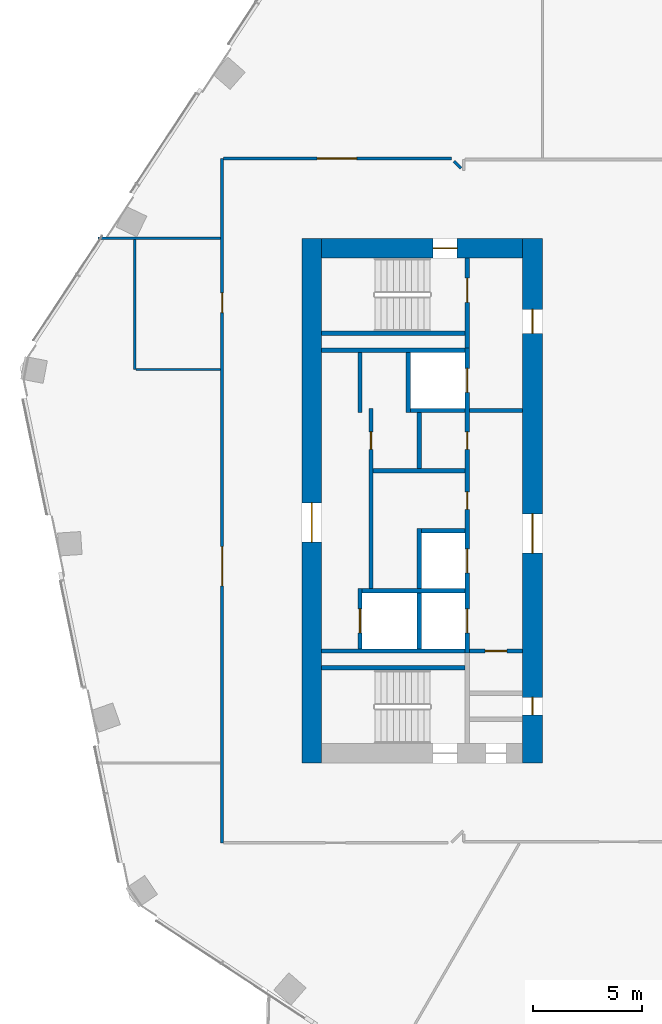
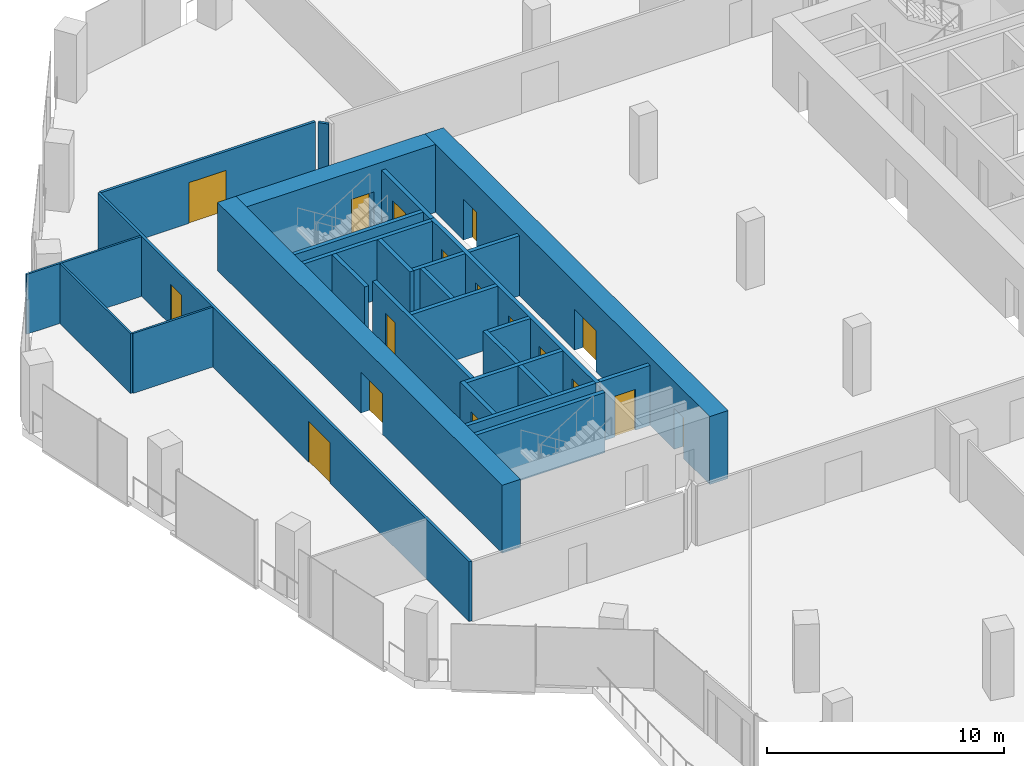
# One storey, part 18 of 26: 28 walls, 17 doors, 17 openings.
"""IFC4 building model written with IfcOpenShell, lengths in metres."""

import ifcopenshell
import ifcopenshell.guid

model = None  # the IFC model being written
_history = None  # IfcOwnerHistory: only IFC2X3 demands one
_inside = {}  # id of a spatial element -> (the spatial element, [elements in it])
_under = {}  # id of a project, library or spatial element -> (it, [spatial elements below it])
_declared = {}  # id of a project -> (the project, [libraries it declares])
_typed = {}  # id of a type object -> (the type object, [elements of that type])
_made_of = {}  # id of a material, layer set ... -> (it, [elements and type objects made of it])


def new_model(schema):
    """Start an empty IFC model of exactly this schema.

    Asked for "IFC4X3", IfcOpenShell would pick the latest addendum, in which some entities
    have other attributes; the version numbers below select the first issue.
    IFC2X3 requires an IfcOwnerHistory on every rooted entity: one is made here for all.
    """
    global model, _history
    if schema == "IFC4X3":
        model = ifcopenshell.file(schema_version=(4, 3, 0, 0))
    else:
        model = ifcopenshell.file(schema=schema)
    _inside.clear()
    _under.clear()
    _declared.clear()
    _typed.clear()
    _made_of.clear()
    _history = None
    if model.schema == "IFC2X3":
        org = make("IfcOrganization", Name="unknown")
        user = make(
            "IfcPersonAndOrganization",
            ThePerson=make("IfcPerson", FamilyName="unknown"),
            TheOrganization=org,
        )
        app = make(
            "IfcApplication",
            ApplicationDeveloper=org,
            Version="unknown",
            ApplicationFullName="unknown",
            ApplicationIdentifier="unknown",
        )
        _history = make(
            "IfcOwnerHistory",
            OwningUser=user,
            OwningApplication=app,
            ChangeAction="ADDED",
            CreationDate=0,
        )
    return model


def make(cls, **values):
    """One entity of the class cls with the attributes given. An attribute that is None is left unset."""
    return model.create_entity(
        cls, **{name: value for name, value in values.items() if value is not None}
    )


def rooted(cls, **values):
    """An entity with a GlobalId (a new one), such as an element, a storey or a relation."""
    return make(cls, GlobalId=ifcopenshell.guid.new(), OwnerHistory=_history, **values)


def si_unit(unit_type, name, prefix=None):
    """IfcSIUnit, for example si_unit("LENGTHUNIT", "METRE", prefix="MILLI")."""
    return make("IfcSIUnit", UnitType=unit_type, Prefix=prefix, Name=name)


def assignment(units):
    """IfcUnitAssignment: the units of a project."""
    return None if units is None else make("IfcUnitAssignment", Units=units)


def point(xyz):
    """IfcCartesianPoint."""
    return None if xyz is None else make("IfcCartesianPoint", Coordinates=xyz)


def direction(xyz):
    """IfcDirection."""
    return None if xyz is None else make("IfcDirection", DirectionRatios=xyz)


def frame(location, z_axis=None, x_axis=None):
    """IfcAxis2Placement3D, a coordinate frame: its origin and axes. An axis left out is left unset."""
    return make(
        "IfcAxis2Placement3D",
        Location=point(location),
        Axis=direction(z_axis),
        RefDirection=direction(x_axis),
    )


def frame_2d(location, x_axis=None):
    """IfcAxis2Placement2D, a coordinate frame in the plane: its origin and x axis."""
    return make(
        "IfcAxis2Placement2D", Location=point(location), RefDirection=direction(x_axis)
    )


def origin():
    """The frame at (0, 0, 0) with its axes left unset."""
    return frame((0.0, 0.0, 0.0))


def place(relative_to, where):
    """IfcLocalPlacement: puts the frame where relative to a parent placement (None: the world)."""
    return make(
        "IfcLocalPlacement", PlacementRelTo=relative_to, RelativePlacement=where
    )


def context(
    kind, dimensions, precision=None, world=None, true_north=None, identifier=None
):
    """IfcGeometricRepresentationContext, for example the 3D "Model" context."""
    return make(
        "IfcGeometricRepresentationContext",
        ContextIdentifier=identifier,
        ContextType=kind,
        CoordinateSpaceDimension=dimensions,
        Precision=precision,
        WorldCoordinateSystem=world,
        TrueNorth=true_north,
    )


def subcontext(parent, identifier, kind, view, scale=None):
    """IfcGeometricRepresentationSubContext, for example "Body" below "Model"."""
    return make(
        "IfcGeometricRepresentationSubContext",
        ContextIdentifier=identifier,
        ContextType=kind,
        ParentContext=parent,
        TargetScale=scale,
        TargetView=view,
    )


def project(units=None, contexts=None):
    """IfcProject with its units and contexts."""
    return rooted(
        "IfcProject",
        Name="project",
        RepresentationContexts=contexts,
        UnitsInContext=assignment(units),
    )


def spatial(cls, under=None, at=None, **own):
    """A site, building, storey or space (cls), placed at a placement, below another one or the project."""
    s = rooted(cls, ObjectPlacement=at, **own)
    if under is not None:
        _under.setdefault(under.id(), (under, []))[1].append(s)
    return s


def profile(cls, at=None, kind="AREA", **sizes):
    """A parametric profile (cls). Its sizes go by their IFC names, for example OverallWidth=200.0."""
    return make(cls, ProfileType=kind, Position=at, **sizes)


def rectangle(**sizes):
    """IfcRectangleProfileDef."""
    return profile("IfcRectangleProfileDef", **sizes)


def extrude(swept, where, along, depth):
    """IfcExtrudedAreaSolid: the profile swept, set in the frame where, extruded along a direction by depth."""
    return make(
        "IfcExtrudedAreaSolid",
        SweptArea=swept,
        Position=where,
        ExtrudedDirection=direction(along),
        Depth=depth,
    )


def shape(context_of_items, identifier, shape_type, items):
    """IfcShapeRepresentation: the items that make up one representation, for example the "Body"."""
    return make(
        "IfcShapeRepresentation",
        ContextOfItems=context_of_items,
        RepresentationIdentifier=identifier,
        RepresentationType=shape_type,
        Items=items,
    )


def material(Name=None, Category=None):
    """IfcMaterial."""
    return make("IfcMaterial", Name=Name, Category=Category)


def layer(
    of_material, thickness, ventilated=None, Name=None, Category=None, Priority=None
):
    """IfcMaterialLayer: one layer of a wall or slab, of a material (None: an air gap)."""
    return make(
        "IfcMaterialLayer",
        Material=of_material,
        LayerThickness=thickness,
        IsVentilated=ventilated,
        Name=Name,
        Category=Category,
        Priority=Priority,
    )


def layer_set(layers, Name=None):
    """IfcMaterialLayerSet."""
    return make("IfcMaterialLayerSet", MaterialLayers=layers, LayerSetName=Name)


def made_of(thing, what):
    """Note that an element or type object is made of a material, layer set ...; save() writes the relation."""
    if what is not None:
        _made_of.setdefault(what.id(), (what, []))[1].append(thing)
    return thing


def type_object(cls, material=None, **own):
    """A type object (cls), such as IfcWallType, which elements share."""
    return made_of(rooted(cls, **own), material)


def element(
    cls,
    number,
    at=None,
    inside=None,
    cuts=None,
    type_object=None,
    material=None,
    context=None,
    identifier="Body",
    shape_type=None,
    held_by="IfcProductDefinitionShape",
    body=None,
    shapes=None,
    **own,
):
    """One element of the class cls, such as IfcWall. Its Tag is "e" and its number.

    at: its placement. inside: the storey or other place that contains it. cuts: it is an
    opening in that element (IfcRelVoidsElement). A single representation is given by context,
    identifier, shape_type and body (its items); several are given by shapes. held_by: the class
    of the entity that holds the representations. save() writes the other relations.
    """
    e = rooted(cls, Tag="e%d" % number, ObjectPlacement=at, **own)
    if body is not None:
        shapes = [shape(context, identifier, shape_type, body)]
    if shapes is not None:
        e.Representation = make(held_by, Representations=shapes)
    if inside is not None:
        _inside.setdefault(inside.id(), (inside, []))[1].append(e)
    if cuts is not None:
        rooted(
            "IfcRelVoidsElement", RelatingBuildingElement=cuts, RelatedOpeningElement=e
        )
    if type_object is not None:
        _typed.setdefault(type_object.id(), (type_object, []))[1].append(e)
    return made_of(e, material)


def fill(opening, filler):
    """IfcRelFillsElement: the door or window that sits in an opening."""
    return rooted(
        "IfcRelFillsElement",
        RelatingOpeningElement=opening,
        RelatedBuildingElement=filler,
    )


def aggregate(whole, parts):
    """IfcRelAggregates: a whole, such as a stair, and the parts it consists of."""
    return rooted("IfcRelAggregates", RelatingObject=whole, RelatedObjects=parts)


def save(model, path):
    """Write the relations noted so far, then the file.

    IfcRelAggregates (storeys below a building ...), IfcRelContainedInSpatialStructure (elements
    in a storey), IfcRelDefinesByType, IfcRelAssociatesMaterial and IfcRelDeclares: one each for
    every whole, place, type object, material and project.
    """
    for whole, parts in _under.values():
        aggregate(whole, parts)
    for where, things in _inside.values():
        rooted(
            "IfcRelContainedInSpatialStructure",
            RelatedElements=things,
            RelatingStructure=where,
        )
    for kind, things in _typed.values():
        rooted("IfcRelDefinesByType", RelatedObjects=things, RelatingType=kind)
    for what, things in _made_of.values():
        rooted("IfcRelAssociatesMaterial", RelatedObjects=things, RelatingMaterial=what)
    for by, libraries in _declared.values():
        rooted("IfcRelDeclares", RelatingContext=by, RelatedDefinitions=libraries)
    model.write(path)


model = new_model("IFC4")

# Units and contexts
model_context = context("Model", 3, precision=1e-05, world=origin(), true_north=direction((0.0, 1.0)))
body_context = subcontext(model_context, "Body", "Model", "MODEL_VIEW")
ifc_project = project(units=[si_unit("LENGTHUNIT", "METRE"), si_unit("AREAUNIT", "SQUARE_METRE"), si_unit("VOLUMEUNIT", "CUBIC_METRE"), si_unit("PLANEANGLEUNIT", "RADIAN"), si_unit("MASSUNIT", "GRAM", prefix="KILO")], contexts=[model_context])

# Site, building, storey
site_placement = place(None, origin())
site = spatial("IfcSite", under=ifc_project, at=site_placement, CompositionType="ELEMENT")
building_placement = place(site_placement, origin())
building = spatial("IfcBuilding", under=site, at=building_placement, Name="Orlundy Tower", CompositionType="ELEMENT")
storey_placement = place(building_placement, frame((0.0, 0.0, 232.0)))
storey = spatial("IfcBuildingStorey", under=building, at=storey_placement, Name="L61", CompositionType="ELEMENT", Elevation=232.0)

# Wall, opening, door
ifc_material_1 = material(Name="Concrete C60/75", Category="concrete")
ifc_layer_1 = layer(ifc_material_1, 0.89990234375)
ifc_layer_set_1 = layer_set([ifc_layer_1], Name="CORE WALL 900 C60/75")
wall_type_1 = type_object("IfcWallType", Name="CORE WALL 900 C60/75", PredefinedType="SHEAR", material=ifc_layer_set_1)
wall_1_placement = place(storey_placement, frame((-18.10009765625, 11.550048828125, 0.0), z_axis=(0.0, 0.0, 1.0), x_axis=(1.0, 0.0, 0.0)))
wall_1 = element("IfcWall", 1, at=wall_1_placement, inside=storey, type_object=wall_type_1, Name="Core wall W-N L61", PredefinedType="SHEAR", context=body_context, shape_type="SweptSolid", body=[
    extrude(rectangle(XDim=9.2001953125, YDim=0.89990234375, at=frame_2d((4.60009765625, 0.0))), origin(), (0.0, 0.0, 1.0), 3.5),
])
opening_1_placement = place(wall_1_placement, frame((5.10009765625, 0.0, 0.0)))
opening_1 = element("IfcOpeningElement", 2, at=opening_1_placement, cuts=wall_1, Name="Opening 47011", PredefinedType="OPENING", context=body_context, shape_type="SweptSolid", body=[
    extrude(rectangle(XDim=1.10009765625, YDim=2.10009765625, at=frame_2d((0.550048828125, 1.050048828125))), frame((0.0, 0.4599609375, 0.0), z_axis=(0.0, -1.0, 0.0), x_axis=(1.0, 0.0, 0.0)), (0.0, 0.0, 1.0), 0.919921875),
])
ifc_material_2 = material(Name="Steel door set", Category="steel")
door_type_1 = type_object("IfcDoorType", Name="Stair Door 1100x2100", OperationType="SINGLE_SWING_LEFT", PredefinedType="DOOR", material=ifc_material_2)
door_1_placement = place(opening_1_placement, origin())
door_1 = element("IfcDoor", 3, at=door_1_placement, inside=storey, type_object=door_type_1, Name="Stair door 47011", OperationType="SINGLE_SWING_RIGHT", OverallHeight=2.10009765625, OverallWidth=1.10009765625, PredefinedType="DOOR", context=body_context, shape_type="SweptSolid", body=[
    extrude(rectangle(XDim=1.10009765625, YDim=2.10009765625, at=frame_2d((0.550048828125, 1.050048828125))), frame((0.0, 0.02490234375, 0.0), z_axis=(0.0, -1.0, 0.0), x_axis=(1.0, 0.0, 0.0)), (0.0, 0.0, 1.0), 0.050048828125),
])
fill(opening_1, door_1)

wall_2_placement = place(storey_placement, frame((-18.550048828125, -12.0, 0.0), z_axis=(0.0, 0.0, 1.0), x_axis=(0.0, 1.0, 0.0)))
wall_2 = element("IfcWall", 4, at=wall_2_placement, inside=storey, type_object=wall_type_1, Name="Core wall W-W L61", PredefinedType="SHEAR", context=body_context, shape_type="SweptSolid", body=[
    extrude(rectangle(XDim=24.0, YDim=0.89990234375, at=frame_2d((12.0, 0.0))), origin(), (0.0, 0.0, 1.0), 3.5),
])
opening_2_placement = place(wall_2_placement, frame((10.10009765625, 0.0, 0.0)))
opening_2 = element("IfcOpeningElement", 5, at=opening_2_placement, cuts=wall_2, Name="Opening 47009", PredefinedType="OPENING", context=body_context, shape_type="SweptSolid", body=[
    extrude(rectangle(XDim=1.800048828125, YDim=2.10009765625, at=frame_2d((0.89990234375, 1.050048828125))), frame((0.0, 0.4599609375, 0.0), z_axis=(0.0, -1.0, 0.0), x_axis=(1.0, 0.0, 0.0)), (0.0, 0.0, 1.0), 0.919921875),
])
ifc_material_3 = material(Name="Timber door set", Category="wood")
door_type_2 = type_object("IfcDoorType", Name="Lobby Door 1800x2100", OperationType="DOUBLE_DOOR_DOUBLE_SWING", PredefinedType="DOOR", material=ifc_material_3)
door_2_placement = place(opening_2_placement, origin())
door_2 = element("IfcDoor", 6, at=door_2_placement, inside=storey, type_object=door_type_2, Name="Lift lobby door 47009", OperationType="SINGLE_SWING_LEFT", OverallHeight=2.10009765625, OverallWidth=1.800048828125, PredefinedType="DOOR", context=body_context, shape_type="SweptSolid", body=[
    extrude(rectangle(XDim=1.800048828125, YDim=2.10009765625, at=frame_2d((0.89990234375, 1.050048828125))), frame((0.0, 0.02490234375, 0.0), z_axis=(0.0, -1.0, 0.0), x_axis=(1.0, 0.0, 0.0)), (0.0, 0.0, 1.0), 0.050048828125),
])
fill(opening_2, door_2)

# Wall, openings, doors
wall_3_placement = place(storey_placement, frame((-8.449951171875, -12.0, 0.0), z_axis=(0.0, 0.0, 1.0), x_axis=(0.0, 1.0, 0.0)))
wall_3 = element("IfcWall", 7, at=wall_3_placement, inside=storey, type_object=wall_type_1, Name="Core wall W-E L61", PredefinedType="SHEAR", context=body_context, shape_type="SweptSolid", body=[
    extrude(rectangle(XDim=24.0, YDim=0.89990234375, at=frame_2d((12.0, 0.0))), origin(), (0.0, 0.0, 1.0), 3.5),
])
opening_3_placement = place(wall_3_placement, frame((9.60009765625, 0.0, 0.0)))
opening_3 = element("IfcOpeningElement", 8, at=opening_3_placement, cuts=wall_3, Name="Opening 47008", PredefinedType="OPENING", context=body_context, shape_type="SweptSolid", body=[
    extrude(rectangle(XDim=1.800048828125, YDim=2.10009765625, at=frame_2d((0.89990234375, 1.050048828125))), frame((0.0, 0.4599609375, 0.0), z_axis=(0.0, -1.0, 0.0), x_axis=(1.0, 0.0, 0.0)), (0.0, 0.0, 1.0), 0.919921875),
])
opening_4_placement = place(wall_3_placement, frame((19.64990234375, 0.0, 0.0)))
opening_4 = element("IfcOpeningElement", 9, at=opening_4_placement, cuts=wall_3, Name="Opening 47010", PredefinedType="OPENING", context=body_context, shape_type="SweptSolid", body=[
    extrude(rectangle(XDim=1.10009765625, YDim=2.10009765625, at=frame_2d((0.550048828125, 1.050048828125))), frame((0.0, 0.4599609375, 0.0), z_axis=(0.0, -1.0, 0.0), x_axis=(1.0, 0.0, 0.0)), (0.0, 0.0, 1.0), 0.919921875),
])
opening_5_placement = place(wall_3_placement, frame((2.199951171875, 0.0, 0.0)))
opening_5 = element("IfcOpeningElement", 10, at=opening_5_placement, cuts=wall_3, Name="Opening 47015", PredefinedType="OPENING", context=body_context, shape_type="SweptSolid", body=[
    extrude(rectangle(XDim=0.800048828125, YDim=2.10009765625, at=frame_2d((0.39990234375, 1.050048828125))), frame((0.0, 0.4599609375, 0.0), z_axis=(0.0, -1.0, 0.0), x_axis=(1.0, 0.0, 0.0)), (0.0, 0.0, 1.0), 0.919921875),
])
ifc_material_4 = material(Name="Steel door set", Category="steel")
door_type_3 = type_object("IfcDoorType", Name="Fire-fighting Lobby Door 1100x2100", OperationType="SINGLE_SWING_LEFT", PredefinedType="DOOR", material=ifc_material_4)
door_3_placement = place(opening_4_placement, origin())
door_3 = element("IfcDoor", 11, at=door_3_placement, inside=storey, type_object=door_type_3, Name="Fire-fighting lobby door 47010", OperationType="SINGLE_SWING_RIGHT", OverallHeight=2.10009765625, OverallWidth=1.10009765625, PredefinedType="DOOR", context=body_context, shape_type="SweptSolid", body=[
    extrude(rectangle(XDim=1.10009765625, YDim=2.10009765625, at=frame_2d((0.550048828125, 1.050048828125))), frame((0.0, 0.02490234375, 0.0), z_axis=(0.0, -1.0, 0.0), x_axis=(1.0, 0.0, 0.0)), (0.0, 0.0, 1.0), 0.050048828125),
])
fill(opening_4, door_3)
door_4_placement = place(opening_3_placement, origin())
door_4 = element("IfcDoor", 12, at=door_4_placement, inside=storey, type_object=door_type_2, Name="Lift lobby door 47008", OperationType="SINGLE_SWING_LEFT", OverallHeight=2.10009765625, OverallWidth=1.800048828125, PredefinedType="DOOR", context=body_context, shape_type="SweptSolid", body=[
    extrude(rectangle(XDim=1.800048828125, YDim=2.10009765625, at=frame_2d((0.89990234375, 1.050048828125))), frame((0.0, 0.02490234375, 0.0), z_axis=(0.0, -1.0, 0.0), x_axis=(1.0, 0.0, 0.0)), (0.0, 0.0, 1.0), 0.050048828125),
])
fill(opening_3, door_4)
ifc_material_5 = material(Name="Timber door set", Category="wood")
door_type_4 = type_object("IfcDoorType", Name="Riser Door 800x2100", OperationType="SINGLE_SWING_LEFT", PredefinedType="DOOR", material=ifc_material_5)
door_5_placement = place(opening_5_placement, origin())
door_5 = element("IfcDoor", 13, at=door_5_placement, inside=storey, type_object=door_type_4, Name="Door 47015", OperationType="SINGLE_SWING_LEFT", OverallHeight=2.10009765625, OverallWidth=0.800048828125, PredefinedType="DOOR", context=body_context, shape_type="SweptSolid", body=[
    extrude(rectangle(XDim=0.800048828125, YDim=2.10009765625, at=frame_2d((0.39990234375, 1.050048828125))), frame((0.0, 0.02490234375, 0.0), z_axis=(0.0, -1.0, 0.0), x_axis=(1.0, 0.0, 0.0)), (0.0, 0.0, 1.0), 0.050048828125),
])
fill(opening_5, door_5)

# Walls
ifc_material_6 = material(Name="Gypsum board partition")
ifc_layer_2 = layer(ifc_material_6, 0.10009765625)
ifc_layer_set_2 = layer_set([ifc_layer_2], Name="Floor partition 100")
wall_type_2 = type_object("IfcWallType", Name="Floor partition 100", PredefinedType="PARTITIONING", material=ifc_layer_set_2)
wall_4_placement = place(storey_placement, frame((-26.597900390625, 6.0009765625, 0.0), z_axis=(0.0, 0.0, 1.0), x_axis=(1.0, 0.0, 0.0)))
element("IfcWall", 14, at=wall_4_placement, inside=storey, type_object=wall_type_2, Name="wall-int-L61-011", PredefinedType="PARTITIONING", context=body_context, shape_type="SweptSolid", body=[
    extrude(rectangle(XDim=3.885986328125, YDim=0.10009765625, at=frame_2d((1.94287109375, 0.0))), origin(), (0.0, 0.0, 1.0), 3.080078125),
])
wall_5_placement = place(storey_placement, frame((-28.31396484375, 12.0, 0.0), z_axis=(0.0, 0.0, 1.0), x_axis=(1.0, 0.0, 0.0)))
element("IfcWall", 15, at=wall_5_placement, inside=storey, type_object=wall_type_2, Name="wall-int-L61-012", PredefinedType="PARTITIONING", context=body_context, shape_type="SweptSolid", body=[
    extrude(rectangle(XDim=5.60205078125, YDim=0.10009765625, at=frame_2d((2.801025390625, 0.0))), origin(), (0.0, 0.0, 1.0), 3.080078125),
])
wall_6_placement = place(storey_placement, frame((-26.64794921875, 6.0009765625, 0.0), z_axis=(0.0, 0.0, 1.0), x_axis=(0.0, 1.0, 0.0)))
element("IfcWall", 16, at=wall_6_placement, inside=storey, type_object=wall_type_2, Name="wall-int-L61-030", PredefinedType="PARTITIONING", context=body_context, shape_type="SweptSolid", body=[
    extrude(rectangle(XDim=5.948974609375, YDim=0.10009765625, at=frame_2d((2.974609375, 0.0))), origin(), (0.0, 0.0, 1.0), 3.080078125),
])
ifc_material_7 = material(Name="Gypsum board partition, double layer")
ifc_layer_3 = layer(ifc_material_7, 0.125)
ifc_layer_set_3 = layer_set([ifc_layer_3], Name="Floor partition 125")
wall_type_3 = type_object("IfcWallType", Name="Floor partition 125", PredefinedType="PARTITIONING", material=ifc_layer_set_3)
wall_7_placement = place(storey_placement, frame((-12.0458984375, 15.52294921875, 0.0), z_axis=(0.0, 0.0, 1.0), x_axis=(0.707106781187, -0.707106781187, 0.0)))
element("IfcWall", 17, at=wall_7_placement, inside=storey, type_object=wall_type_3, Name="wall-int-L61-004", PredefinedType="PARTITIONING", context=body_context, shape_type="SweptSolid", body=[
    extrude(rectangle(XDim=0.4482421875, YDim=0.125, at=frame_2d((0.22412109375, 0.0))), origin(), (0.0, 0.0, 1.0), 3.080078125),
])

# Wall, opening, door
wall_8_placement = place(storey_placement, frame((-22.5869140625, 15.65087890625, 0.0), z_axis=(0.0, 0.0, 1.0), x_axis=(1.0, 0.0, 0.0)))
wall_8 = element("IfcWall", 18, at=wall_8_placement, inside=storey, type_object=wall_type_3, Name="wall-int-L61-015", PredefinedType="PARTITIONING", context=body_context, shape_type="SweptSolid", body=[
    extrude(rectangle(XDim=10.426025390625, YDim=0.125, at=frame_2d((5.212890625, 0.0))), origin(), (0.0, 0.0, 1.0), 3.080078125),
])
opening_6_placement = place(wall_8_placement, frame((4.28759765625, 0.0, 0.0)))
opening_6 = element("IfcOpeningElement", 19, at=opening_6_placement, cuts=wall_8, Name="Opening 47110", PredefinedType="OPENING", context=body_context, shape_type="SweptSolid", body=[
    extrude(rectangle(XDim=1.800048828125, YDim=2.10009765625, at=frame_2d((0.89990234375, 1.050048828125))), frame((0.0, 0.072509765625, 0.0), z_axis=(0.0, -1.0, 0.0), x_axis=(1.0, 0.0, 0.0)), (0.0, 0.0, 1.0), 0.14501953125),
])
ifc_material_8 = material(Name="Timber door leaf", Category="wood")
door_type_5 = type_object("IfcDoorType", Name="Floor door double 1800 FD30S", OperationType="NOTDEFINED", PredefinedType="DOOR", material=ifc_material_8)
door_6_placement = place(opening_6_placement, origin())
door_6 = element("IfcDoor", 20, at=door_6_placement, inside=storey, type_object=door_type_5, Name="Door 47110", OperationType="DOUBLE_DOOR_SINGLE_SWING", OverallHeight=2.10009765625, OverallWidth=1.800048828125, PredefinedType="DOOR", context=body_context, shape_type="SweptSolid", body=[
    extrude(rectangle(XDim=1.800048828125, YDim=2.10009765625, at=frame_2d((0.89990234375, 1.050048828125))), frame((0.0, 0.02490234375, 0.0), z_axis=(0.0, -1.0, 0.0), x_axis=(1.0, 0.0, 0.0)), (0.0, 0.0, 1.0), 0.050048828125),
])
fill(opening_6, door_6)

# Wall, openings, doors
wall_9_placement = place(storey_placement, frame((-22.64990234375, -15.65087890625, 0.0), z_axis=(0.0, 0.0, 1.0), x_axis=(0.0, 1.0, 0.0)))
wall_9 = element("IfcWall", 21, at=wall_9_placement, inside=storey, type_object=wall_type_3, Name="wall-int-L61-029", PredefinedType="PARTITIONING", context=body_context, shape_type="SweptSolid", body=[
    extrude(rectangle(XDim=31.3017578125, YDim=0.125, at=frame_2d((15.65087890625, 0.0))), origin(), (0.0, 0.0, 1.0), 3.080078125),
])
opening_7_placement = place(wall_9_placement, frame((11.7509765625, 0.0, 0.0)))
opening_7 = element("IfcOpeningElement", 22, at=opening_7_placement, cuts=wall_9, Name="Opening 47111", PredefinedType="OPENING", context=body_context, shape_type="SweptSolid", body=[
    extrude(rectangle(XDim=1.800048828125, YDim=2.10009765625, at=frame_2d((0.89990234375, 1.050048828125))), frame((0.0, 0.072509765625, 0.0), z_axis=(0.0, -1.0, 0.0), x_axis=(1.0, 0.0, 0.0)), (0.0, 0.0, 1.0), 0.14501953125),
])
opening_8_placement = place(wall_9_placement, frame((24.251953125, 0.0, 0.0)))
opening_8 = element("IfcOpeningElement", 23, at=opening_8_placement, cuts=wall_9, Name="Opening 47112", PredefinedType="OPENING", context=body_context, shape_type="SweptSolid", body=[
    extrude(rectangle(XDim=0.89990234375, YDim=2.10009765625, at=frame_2d((0.449951171875, 1.050048828125))), frame((0.0, 0.072509765625, 0.0), z_axis=(0.0, -1.0, 0.0), x_axis=(1.0, 0.0, 0.0)), (0.0, 0.0, 1.0), 0.14501953125),
])
door_7_placement = place(opening_7_placement, origin())
door_7 = element("IfcDoor", 24, at=door_7_placement, inside=storey, type_object=door_type_5, Name="Door 47111", OperationType="DOUBLE_DOOR_SINGLE_SWING", OverallHeight=2.10009765625, OverallWidth=1.800048828125, PredefinedType="DOOR", context=body_context, shape_type="SweptSolid", body=[
    extrude(rectangle(XDim=1.800048828125, YDim=2.10009765625, at=frame_2d((0.89990234375, 1.050048828125))), frame((0.0, 0.02490234375, 0.0), z_axis=(0.0, -1.0, 0.0), x_axis=(1.0, 0.0, 0.0)), (0.0, 0.0, 1.0), 0.050048828125),
])
fill(opening_7, door_7)
ifc_material_9 = material(Name="Timber door leaf", Category="wood")
door_type_6 = type_object("IfcDoorType", Name="Floor door single 900 FD30S", OperationType="NOTDEFINED", PredefinedType="DOOR", material=ifc_material_9)
door_8_placement = place(opening_8_placement, origin())
door_8 = element("IfcDoor", 25, at=door_8_placement, inside=storey, type_object=door_type_6, Name="Door 47112", OperationType="SINGLE_SWING_RIGHT", OverallHeight=2.10009765625, OverallWidth=0.89990234375, PredefinedType="DOOR", context=body_context, shape_type="SweptSolid", body=[
    extrude(rectangle(XDim=0.89990234375, YDim=2.10009765625, at=frame_2d((0.449951171875, 1.050048828125))), frame((0.0, 0.02490234375, 0.0), z_axis=(0.0, -1.0, 0.0), x_axis=(1.0, 0.0, 0.0)), (0.0, 0.0, 1.0), 0.050048828125),
])
fill(opening_8, door_8)

# Wall, opening, door
ifc_material_10 = material(Name="Concrete C40/50", Category="concrete")
ifc_layer_4 = layer(ifc_material_10, 0.199951171875)
ifc_layer_set_4 = layer_set([ifc_layer_4], Name="Load-bearing Shaft Wall 200")
wall_type_4 = type_object("IfcWallType", Name="Load-bearing Shaft Wall 200", PredefinedType="SOLIDWALL", material=ifc_layer_set_4)
wall_10_placement = place(storey_placement, frame((-11.43994140625, 6.97509765625, 0.0), z_axis=(0.0, 0.0, 1.0), x_axis=(0.0, 1.0, 0.0)))
wall_10 = element("IfcWall", 26, at=wall_10_placement, inside=storey, type_object=wall_type_4, Name="Shaft wall W47-stair-end-n", PredefinedType="SOLIDWALL", context=body_context, shape_type="SweptSolid", body=[
    extrude(rectangle(XDim=4.125, YDim=0.199951171875, at=frame_2d((2.0625, 0.0))), origin(), (0.0, 0.0, 1.0), 3.090087890625),
])
opening_9_placement = place(wall_10_placement, frame((2.10009765625, 0.0, 0.0)))
opening_9 = element("IfcOpeningElement", 27, at=opening_9_placement, cuts=wall_10, Name="Opening 47013", PredefinedType="OPENING", context=body_context, shape_type="SweptSolid", body=[
    extrude(rectangle(XDim=1.10009765625, YDim=2.10009765625, at=frame_2d((0.550048828125, 1.050048828125))), frame((0.0, 0.110107421875, 0.0), z_axis=(0.0, -1.0, 0.0), x_axis=(1.0, 0.0, 0.0)), (0.0, 0.0, 1.0), 0.22021484375),
])
door_9_placement = place(opening_9_placement, origin())
door_9 = element("IfcDoor", 28, at=door_9_placement, inside=storey, type_object=door_type_3, Name="Fire-fighting lobby to stair door 47013", OperationType="SINGLE_SWING_RIGHT", OverallHeight=2.10009765625, OverallWidth=1.10009765625, PredefinedType="DOOR", context=body_context, shape_type="SweptSolid", body=[
    extrude(rectangle(XDim=1.10009765625, YDim=2.10009765625, at=frame_2d((0.550048828125, 1.050048828125))), frame((0.0, 0.02490234375, 0.0), z_axis=(0.0, -1.0, 0.0), x_axis=(1.0, 0.0, 0.0)), (0.0, 0.0, 1.0), 0.050048828125),
])
fill(opening_9, door_9)

# Walls
for number, where, z_axis, x_axis, name in (
    (29, (-11.5400390625, 7.64990234375, 0.0), (0.0, 0.0, 1.0), (-1.0, 0.0, 0.0), "Shaft wall W47-stair-side-n"),
    (30, (-11.5400390625, -7.64990234375, 0.0), (0.0, 0.0, 1.0), (-1.0, 0.0, 0.0), "Shaft wall W47-stair-side-s"),
):
    element("IfcWall", number, at=place(storey_placement, frame(where, z_axis=z_axis, x_axis=x_axis)), inside=storey, type_object=wall_type_4, Name=name, PredefinedType="SOLIDWALL", context=body_context, shape_type="SweptSolid", body=[
        extrude(rectangle(XDim=6.56005859375, YDim=0.199951171875, at=frame_2d((3.280029296875, 0.0))), origin(), (0.0, 0.0, 1.0), 3.090087890625),
    ])
ifc_material_11 = material(Name="Gypsum board partition on steel studs", Category="steel")
ifc_layer_5 = layer(ifc_material_11, 0.199951171875)
ifc_layer_set_5 = layer_set([ifc_layer_5], Name="Partition 200")
wall_type_5 = type_object("IfcWallType", Name="Partition 200", PredefinedType="PARTITIONING", material=ifc_layer_set_5)
wall_11_placement = place(storey_placement, frame((-8.89990234375, 4.125, 0.0), z_axis=(0.0, 0.0, 1.0), x_axis=(-1.0, 0.0, 0.0)))
element("IfcWall", 31, at=wall_11_placement, inside=storey, type_object=wall_type_5, Name="Partition wall W47-lobby-n", PredefinedType="PARTITIONING", context=body_context, shape_type="SweptSolid", body=[
    extrude(rectangle(XDim=2.440185546875, YDim=0.199951171875, at=frame_2d((1.22021484375, 0.0))), origin(), (0.0, 0.0, 1.0), 3.090087890625),
])

# Wall, opening, door
wall_12_placement = place(storey_placement, frame((-8.89990234375, -6.875, 0.0), z_axis=(0.0, 0.0, 1.0), x_axis=(-1.0, 0.0, 0.0)))
wall_12 = element("IfcWall", 32, at=wall_12_placement, inside=storey, type_object=wall_type_5, Name="Partition wall W47-end-s", PredefinedType="PARTITIONING", context=body_context, shape_type="SweptSolid", body=[
    extrude(rectangle(XDim=2.440185546875, YDim=0.199951171875, at=frame_2d((1.22021484375, 0.0))), origin(), (0.0, 0.0, 1.0), 3.090087890625),
])
opening_10_placement = place(wall_12_placement, frame((0.719970703125, 0.0, 0.0)))
opening_10 = element("IfcOpeningElement", 33, at=opening_10_placement, cuts=wall_12, Name="Opening 47016", PredefinedType="OPENING", context=body_context, shape_type="SweptSolid", body=[
    extrude(rectangle(XDim=1.0, YDim=2.10009765625, at=frame_2d((0.5, 1.050048828125))), frame((0.0, 0.110107421875, 0.0), z_axis=(0.0, -1.0, 0.0), x_axis=(1.0, 0.0, 0.0)), (0.0, 0.0, 1.0), 0.22021484375),
])
ifc_material_12 = material(Name="Timber door set", Category="wood")
door_type_7 = type_object("IfcDoorType", Name="Accessible Door 1000x2100", OperationType="SINGLE_SWING_LEFT", PredefinedType="DOOR", material=ifc_material_12)
door_10_placement = place(opening_10_placement, origin())
door_10 = element("IfcDoor", 34, at=door_10_placement, inside=storey, type_object=door_type_7, Name="Accessible WC door 47016", OperationType="SINGLE_SWING_RIGHT", OverallHeight=2.10009765625, OverallWidth=1.0, PredefinedType="DOOR", context=body_context, shape_type="SweptSolid", body=[
    extrude(rectangle(XDim=1.0, YDim=2.10009765625, at=frame_2d((0.5, 1.050048828125))), frame((0.0, 0.02490234375, 0.0), z_axis=(0.0, -1.0, 0.0), x_axis=(1.0, 0.0, 0.0)), (0.0, 0.0, 1.0), 0.050048828125),
])
fill(opening_10, door_10)

# Walls
ifc_material_13 = material(Name="Fire-rated blockwork shaft wall", Category="masonry")
ifc_layer_6 = layer(ifc_material_13, 0.199951171875)
ifc_layer_set_6 = layer_set([ifc_layer_6], Name="Shaft Wall 200")
wall_type_6 = type_object("IfcWallType", Name="Shaft Wall 200", PredefinedType="SOLIDWALL", material=ifc_layer_set_6)
for number, where, z_axis, x_axis, name in (
    (35, (-11.5400390625, 6.875, 0.0), (0.0, 0.0, 1.0), (-1.0, 0.0, 0.0), "Shaft wall W47-zone-n"),
    (36, (-11.5400390625, -6.875, 0.0), (0.0, 0.0, 1.0), (-1.0, 0.0, 0.0), "Shaft wall W47-zone-s"),
):
    element("IfcWall", number, at=place(storey_placement, frame(where, z_axis=z_axis, x_axis=x_axis)), inside=storey, type_object=wall_type_6, Name=name, PredefinedType="SOLIDWALL", context=body_context, shape_type="SweptSolid", body=[
        extrude(rectangle(XDim=6.56005859375, YDim=0.199951171875, at=frame_2d((3.280029296875, 0.0))), origin(), (0.0, 0.0, 1.0), 3.090087890625),
    ])
wall_13_placement = place(storey_placement, frame((-11.5400390625, -4.125, 0.0), z_axis=(0.0, 0.0, 1.0), x_axis=(-1.0, 0.0, 0.0)))
element("IfcWall", 37, at=wall_13_placement, inside=storey, type_object=wall_type_6, Name="Shaft wall W47-cross-4.125", PredefinedType="SOLIDWALL", context=body_context, shape_type="SweptSolid", body=[
    extrude(rectangle(XDim=4.699951171875, YDim=0.199951171875, at=frame_2d((2.35009765625, 0.0))), origin(), (0.0, 0.0, 1.0), 3.090087890625),
])
wall_14_placement = place(storey_placement, frame((-11.5400390625, -1.375, 0.0), z_axis=(0.0, 0.0, 1.0), x_axis=(-1.0, 0.0, 0.0)))
element("IfcWall", 38, at=wall_14_placement, inside=storey, type_object=wall_type_6, Name="Shaft wall W47-cross-1.375", PredefinedType="SOLIDWALL", context=body_context, shape_type="SweptSolid", body=[
    extrude(rectangle(XDim=2.0, YDim=0.199951171875, at=frame_2d((1.0, 0.0))), origin(), (0.0, 0.0, 1.0), 3.090087890625),
])
wall_15_placement = place(storey_placement, frame((-11.5400390625, 1.375, 0.0), z_axis=(0.0, 0.0, 1.0), x_axis=(-1.0, 0.0, 0.0)))
element("IfcWall", 39, at=wall_15_placement, inside=storey, type_object=wall_type_6, Name="Shaft wall W47-cross+1.375", PredefinedType="SOLIDWALL", context=body_context, shape_type="SweptSolid", body=[
    extrude(rectangle(XDim=4.199951171875, YDim=0.199951171875, at=frame_2d((2.10009765625, 0.0))), origin(), (0.0, 0.0, 1.0), 3.090087890625),
])
wall_16_placement = place(storey_placement, frame((-11.5400390625, 4.125, 0.0), z_axis=(0.0, 0.0, 1.0), x_axis=(-1.0, 0.0, 0.0)))
element("IfcWall", 40, at=wall_16_placement, inside=storey, type_object=wall_type_6, Name="Shaft wall W47-cross+4.125", PredefinedType="SOLIDWALL", context=body_context, shape_type="SweptSolid", body=[
    extrude(rectangle(XDim=2.5, YDim=0.199951171875, at=frame_2d((1.25, 0.0))), origin(), (0.0, 0.0, 1.0), 3.090087890625),
])

# Wall, openings, doors
wall_17_placement = place(storey_placement, frame((-11.43994140625, -6.97509765625, 0.0), z_axis=(0.0, 0.0, 1.0), x_axis=(0.0, 1.0, 0.0)))
wall_17 = element("IfcWall", 41, at=wall_17_placement, inside=storey, type_object=wall_type_6, Name="Shaft wall W47-front-h", PredefinedType="SOLIDWALL", context=body_context, shape_type="SweptSolid", body=[
    extrude(rectangle(XDim=13.9501953125, YDim=0.199951171875, at=frame_2d((6.97509765625, 0.0))), origin(), (0.0, 0.0, 1.0), 3.090087890625),
])
opening_11_placement = place(wall_17_placement, frame((0.925048828125, 0.0, 0.0)))
opening_11 = element("IfcOpeningElement", 42, at=opening_11_placement, cuts=wall_17, Name="Opening 47001", PredefinedType="OPENING", context=body_context, shape_type="SweptSolid", body=[
    extrude(rectangle(XDim=1.10009765625, YDim=2.10009765625, at=frame_2d((0.550048828125, 1.050048828125))), frame((0.0, 0.110107421875, 0.0), z_axis=(0.0, -1.0, 0.0), x_axis=(1.0, 0.0, 0.0)), (0.0, 0.0, 1.0), 0.22021484375),
])
opening_12_placement = place(wall_17_placement, frame((3.675048828125, 0.0, 0.0)))
opening_12 = element("IfcOpeningElement", 43, at=opening_12_placement, cuts=wall_17, Name="Opening 47003", PredefinedType="OPENING", context=body_context, shape_type="SweptSolid", body=[
    extrude(rectangle(XDim=1.10009765625, YDim=2.10009765625, at=frame_2d((0.550048828125, 1.050048828125))), frame((0.0, 0.110107421875, 0.0), z_axis=(0.0, -1.0, 0.0), x_axis=(1.0, 0.0, 0.0)), (0.0, 0.0, 1.0), 0.22021484375),
])
opening_13_placement = place(wall_17_placement, frame((11.925048828125, 0.0, 0.0)))
opening_13 = element("IfcOpeningElement", 44, at=opening_13_placement, cuts=wall_17, Name="Opening 47004", PredefinedType="OPENING", context=body_context, shape_type="SweptSolid", body=[
    extrude(rectangle(XDim=1.10009765625, YDim=2.10009765625, at=frame_2d((0.550048828125, 1.050048828125))), frame((0.0, 0.110107421875, 0.0), z_axis=(0.0, -1.0, 0.0), x_axis=(1.0, 0.0, 0.0)), (0.0, 0.0, 1.0), 0.22021484375),
])
opening_14_placement = place(wall_17_placement, frame((6.574951171875, 0.0, 0.0)))
opening_14 = element("IfcOpeningElement", 45, at=opening_14_placement, cuts=wall_17, Name="Opening 47005", PredefinedType="OPENING", context=body_context, shape_type="SweptSolid", body=[
    extrude(rectangle(XDim=0.800048828125, YDim=2.10009765625, at=frame_2d((0.39990234375, 1.050048828125))), frame((0.0, 0.110107421875, 0.0), z_axis=(0.0, -1.0, 0.0), x_axis=(1.0, 0.0, 0.0)), (0.0, 0.0, 1.0), 0.22021484375),
])
opening_15_placement = place(wall_17_placement, frame((9.324951171875, 0.0, 0.0)))
opening_15 = element("IfcOpeningElement", 46, at=opening_15_placement, cuts=wall_17, Name="Opening 47006", PredefinedType="OPENING", context=body_context, shape_type="SweptSolid", body=[
    extrude(rectangle(XDim=0.800048828125, YDim=2.10009765625, at=frame_2d((0.39990234375, 1.050048828125))), frame((0.0, 0.110107421875, 0.0), z_axis=(0.0, -1.0, 0.0), x_axis=(1.0, 0.0, 0.0)), (0.0, 0.0, 1.0), 0.22021484375),
])
ifc_material_14 = material(Name="Steel door set", Category="steel")
door_type_8 = type_object("IfcDoorType", Name="Landing Door 1100x2100", OperationType="DOUBLE_DOOR_SLIDING", PredefinedType="DOOR", material=ifc_material_14)
door_11_placement = place(opening_11_placement, origin())
door_11 = element("IfcDoor", 47, at=door_11_placement, inside=storey, type_object=door_type_8, Name="Lift landing door LP-22 47001", OperationType="DOUBLE_DOOR_SLIDING", OverallHeight=2.10009765625, OverallWidth=1.10009765625, PredefinedType="DOOR", context=body_context, shape_type="SweptSolid", body=[
    extrude(rectangle(XDim=1.10009765625, YDim=2.10009765625, at=frame_2d((0.550048828125, 1.050048828125))), frame((0.0, 0.02490234375, 0.0), z_axis=(0.0, -1.0, 0.0), x_axis=(1.0, 0.0, 0.0)), (0.0, 0.0, 1.0), 0.050048828125),
])
fill(opening_11, door_11)
door_12_placement = place(opening_12_placement, origin())
door_12 = element("IfcDoor", 48, at=door_12_placement, inside=storey, type_object=door_type_8, Name="Lift landing door LP-21 47003", OperationType="DOUBLE_DOOR_SLIDING", OverallHeight=2.10009765625, OverallWidth=1.10009765625, PredefinedType="DOOR", context=body_context, shape_type="SweptSolid", body=[
    extrude(rectangle(XDim=1.10009765625, YDim=2.10009765625, at=frame_2d((0.550048828125, 1.050048828125))), frame((0.0, 0.02490234375, 0.0), z_axis=(0.0, -1.0, 0.0), x_axis=(1.0, 0.0, 0.0)), (0.0, 0.0, 1.0), 0.050048828125),
])
fill(opening_12, door_12)
door_13_placement = place(opening_13_placement, origin())
door_13 = element("IfcDoor", 49, at=door_13_placement, inside=storey, type_object=door_type_8, Name="Lift landing door FL1 47004", OperationType="DOUBLE_DOOR_SLIDING", OverallHeight=2.10009765625, OverallWidth=1.10009765625, PredefinedType="DOOR", context=body_context, shape_type="SweptSolid", body=[
    extrude(rectangle(XDim=1.10009765625, YDim=2.10009765625, at=frame_2d((0.550048828125, 1.050048828125))), frame((0.0, 0.02490234375, 0.0), z_axis=(0.0, -1.0, 0.0), x_axis=(1.0, 0.0, 0.0)), (0.0, 0.0, 1.0), 0.050048828125),
])
fill(opening_13, door_13)
door_14_placement = place(opening_14_placement, origin())
door_14 = element("IfcDoor", 50, at=door_14_placement, inside=storey, type_object=door_type_4, Name="Refuse Room door 47005", OperationType="SINGLE_SWING_RIGHT", OverallHeight=2.10009765625, OverallWidth=0.800048828125, PredefinedType="DOOR", context=body_context, shape_type="SweptSolid", body=[
    extrude(rectangle(XDim=0.800048828125, YDim=2.10009765625, at=frame_2d((0.39990234375, 1.050048828125))), frame((0.0, 0.02490234375, 0.0), z_axis=(0.0, -1.0, 0.0), x_axis=(1.0, 0.0, 0.0)), (0.0, 0.0, 1.0), 0.050048828125),
])
fill(opening_14, door_14)
door_15_placement = place(opening_15_placement, origin())
door_15 = element("IfcDoor", 51, at=door_15_placement, inside=storey, type_object=door_type_4, Name="Cleaner's Store door 47006", OperationType="SINGLE_SWING_LEFT", OverallHeight=2.10009765625, OverallWidth=0.800048828125, PredefinedType="DOOR", context=body_context, shape_type="SweptSolid", body=[
    extrude(rectangle(XDim=0.800048828125, YDim=2.10009765625, at=frame_2d((0.39990234375, 1.050048828125))), frame((0.0, 0.02490234375, 0.0), z_axis=(0.0, -1.0, 0.0), x_axis=(1.0, 0.0, 0.0)), (0.0, 0.0, 1.0), 0.050048828125),
])
fill(opening_15, door_15)

# Walls
wall_18_placement = place(storey_placement, frame((-13.639892578125, -6.77490234375, 0.0), z_axis=(0.0, 0.0, 1.0), x_axis=(0.0, 1.0, 0.0)))
element("IfcWall", 52, at=wall_18_placement, inside=storey, type_object=wall_type_6, Name="Shaft wall W47-mid-a", PredefinedType="SOLIDWALL", context=body_context, shape_type="SweptSolid", body=[
    extrude(rectangle(XDim=2.5498046875, YDim=0.199951171875, at=frame_2d((1.27490234375, 0.0))), origin(), (0.0, 0.0, 1.0), 3.090087890625),
])
wall_19_placement = place(storey_placement, frame((-13.639892578125, -4.02490234375, 0.0), z_axis=(0.0, 0.0, 1.0), x_axis=(0.0, 1.0, 0.0)))
element("IfcWall", 53, at=wall_19_placement, inside=storey, type_object=wall_type_6, Name="Shaft wall W47-mid-a.1", PredefinedType="SOLIDWALL", context=body_context, shape_type="SweptSolid", body=[
    extrude(rectangle(XDim=2.75, YDim=0.199951171875, at=frame_2d((1.375, 0.0))), origin(), (0.0, 0.0, 1.0), 3.090087890625),
])
wall_20_placement = place(storey_placement, frame((-13.639892578125, 1.47509765625, 0.0), z_axis=(0.0, 0.0, 1.0), x_axis=(0.0, 1.0, 0.0)))
element("IfcWall", 54, at=wall_20_placement, inside=storey, type_object=wall_type_6, Name="Shaft wall W47-mid-a1", PredefinedType="SOLIDWALL", context=body_context, shape_type="SweptSolid", body=[
    extrude(rectangle(XDim=2.5498046875, YDim=0.199951171875, at=frame_2d((1.27490234375, 0.0))), origin(), (0.0, 0.0, 1.0), 3.090087890625),
])
wall_21_placement = place(storey_placement, frame((-14.139892578125, 4.02490234375, 0.0), z_axis=(0.0, 0.0, 1.0), x_axis=(0.0, 1.0, 0.0)))
element("IfcWall", 55, at=wall_21_placement, inside=storey, type_object=wall_type_6, Name="Shaft wall W47-mid-b", PredefinedType="SOLIDWALL", context=body_context, shape_type="SweptSolid", body=[
    extrude(rectangle(XDim=2.75, YDim=0.199951171875, at=frame_2d((1.375, 0.0))), origin(), (0.0, 0.0, 1.0), 3.090087890625),
])

# Wall, opening, door
wall_22_placement = place(storey_placement, frame((-16.340087890625, -6.77490234375, 0.0), z_axis=(0.0, 0.0, 1.0), x_axis=(0.0, 1.0, 0.0)))
wall_22 = element("IfcWall", 56, at=wall_22_placement, inside=storey, type_object=wall_type_6, Name="Shaft wall W47-front-o-a", PredefinedType="SOLIDWALL", context=body_context, shape_type="SweptSolid", body=[
    extrude(rectangle(XDim=2.75, YDim=0.199951171875, at=frame_2d((1.375, 0.0))), origin(), (0.0, 0.0, 1.0), 3.090087890625),
])
opening_16_placement = place(wall_22_placement, frame((0.72509765625, 0.0, 0.0)))
opening_16 = element("IfcOpeningElement", 57, at=opening_16_placement, cuts=wall_22, Name="Opening 47002", PredefinedType="OPENING", context=body_context, shape_type="SweptSolid", body=[
    extrude(rectangle(XDim=1.10009765625, YDim=2.10009765625, at=frame_2d((0.550048828125, 1.050048828125))), frame((0.0, 0.110107421875, 0.0), z_axis=(0.0, -1.0, 0.0), x_axis=(1.0, 0.0, 0.0)), (0.0, 0.0, 1.0), 0.22021484375),
])
door_16_placement = place(opening_16_placement, origin())
door_16 = element("IfcDoor", 58, at=door_16_placement, inside=storey, type_object=door_type_8, Name="Lift landing door LV-01 47002", OperationType="DOUBLE_DOOR_SLIDING", OverallHeight=2.10009765625, OverallWidth=1.10009765625, PredefinedType="DOOR", context=body_context, shape_type="SweptSolid", body=[
    extrude(rectangle(XDim=1.10009765625, YDim=2.10009765625, at=frame_2d((0.550048828125, 1.050048828125))), frame((0.0, 0.02490234375, 0.0), z_axis=(0.0, -1.0, 0.0), x_axis=(1.0, 0.0, 0.0)), (0.0, 0.0, 1.0), 0.050048828125),
])
fill(opening_16, door_16)

wall_23_placement = place(storey_placement, frame((-15.840087890625, -4.02490234375, 0.0), z_axis=(0.0, 0.0, 1.0), x_axis=(0.0, 1.0, 0.0)))
wall_23 = element("IfcWall", 59, at=wall_23_placement, inside=storey, type_object=wall_type_6, Name="Shaft wall W47-front-o-b", PredefinedType="SOLIDWALL", context=body_context, shape_type="SweptSolid", body=[
    extrude(rectangle(XDim=8.25, YDim=0.199951171875, at=frame_2d((4.125, 0.0))), origin(), (0.0, 0.0, 1.0), 3.090087890625),
])
opening_17_placement = place(wall_23_placement, frame((6.375, 0.0, 0.0)))
opening_17 = element("IfcOpeningElement", 60, at=opening_17_placement, cuts=wall_23, Name="Opening 47007", PredefinedType="OPENING", context=body_context, shape_type="SweptSolid", body=[
    extrude(rectangle(XDim=0.800048828125, YDim=2.10009765625, at=frame_2d((0.39990234375, 1.050048828125))), frame((0.0, 0.110107421875, 0.0), z_axis=(0.0, -1.0, 0.0), x_axis=(1.0, 0.0, 0.0)), (0.0, 0.0, 1.0), 0.22021484375),
])
door_17_placement = place(opening_17_placement, origin())
door_17 = element("IfcDoor", 61, at=door_17_placement, inside=storey, type_object=door_type_4, Name="Janitor Store door 47007", OperationType="SINGLE_SWING_LEFT", OverallHeight=2.10009765625, OverallWidth=0.800048828125, PredefinedType="DOOR", context=body_context, shape_type="SweptSolid", body=[
    extrude(rectangle(XDim=0.800048828125, YDim=2.10009765625, at=frame_2d((0.39990234375, 1.050048828125))), frame((0.0, 0.02490234375, 0.0), z_axis=(0.0, -1.0, 0.0), x_axis=(1.0, 0.0, 0.0)), (0.0, 0.0, 1.0), 0.050048828125),
])
fill(opening_17, door_17)

# Wall
wall_24_placement = place(storey_placement, frame((-16.340087890625, 4.02490234375, 0.0), z_axis=(0.0, 0.0, 1.0), x_axis=(0.0, 1.0, 0.0)))
element("IfcWall", 62, at=wall_24_placement, inside=storey, type_object=wall_type_6, Name="Shaft wall W47-front-o-c", PredefinedType="SOLIDWALL", context=body_context, shape_type="SweptSolid", body=[
    extrude(rectangle(XDim=2.75, YDim=0.199951171875, at=frame_2d((1.375, 0.0))), origin(), (0.0, 0.0, 1.0), 3.090087890625),
])

save(model, "model.ifc")
